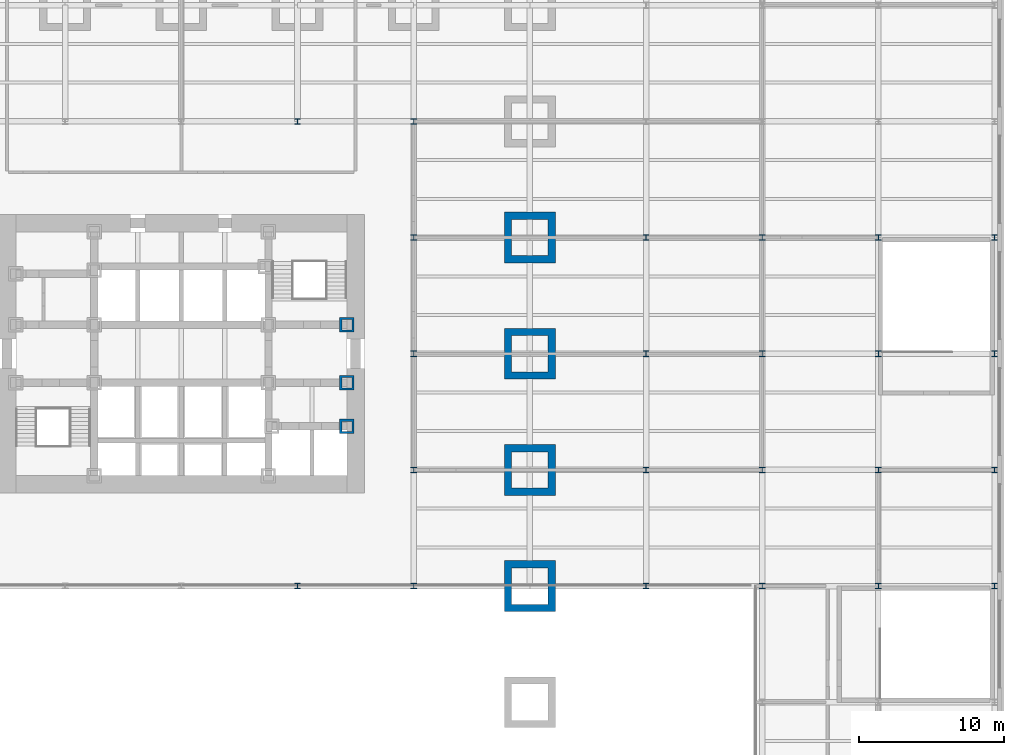
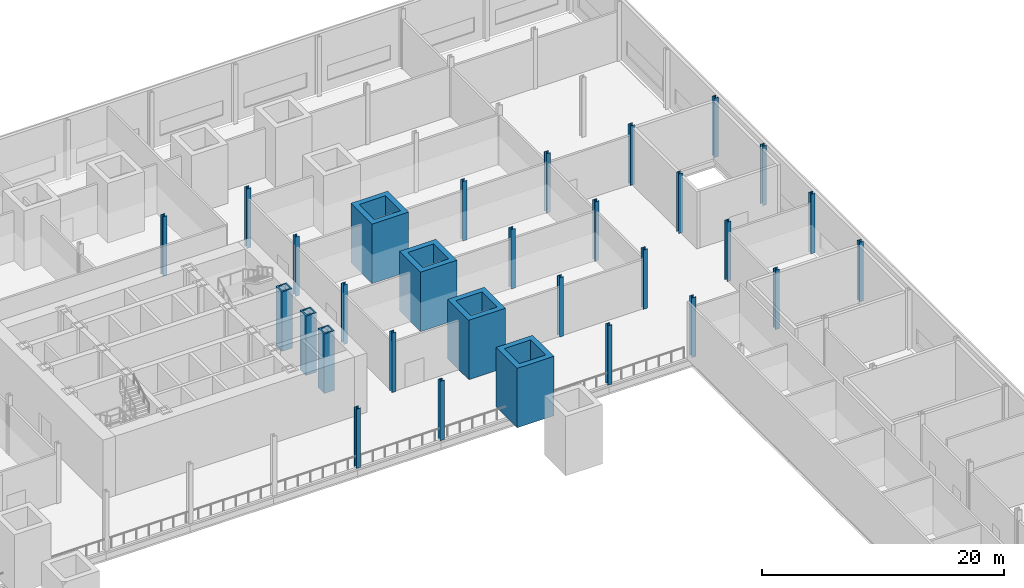
# One storey, part 6 of 21: 30 columns.
"""IFC4 building model written with IfcOpenShell, lengths in metres."""

from ifc_helpers import new_model, si_unit, direction, frame, origin, origin_2d, place, context, subcontext, project, spatial, hollow_rectangle, i_section, extrude, material, material_profile, profile_set, type_object, element, save


model = new_model("IFC4")

# Units and contexts
model_context = context("Model", 3, precision=1e-05, world=origin(), true_north=direction((0.0, 1.0)))
body_context = subcontext(model_context, "Body", "Model", "MODEL_VIEW")
ifc_project = project(units=[si_unit("LENGTHUNIT", "METRE"), si_unit("AREAUNIT", "SQUARE_METRE"), si_unit("VOLUMEUNIT", "CUBIC_METRE"), si_unit("PLANEANGLEUNIT", "RADIAN"), si_unit("MASSUNIT", "GRAM", prefix="KILO")], contexts=[model_context])

# Site, building, storey
site_placement = place(None, origin())
site = spatial("IfcSite", under=ifc_project, at=site_placement, CompositionType="ELEMENT")
building_placement = place(site_placement, origin())
building = spatial("IfcBuilding", under=site, at=building_placement, Name="Daluyong Arena Tower", CompositionType="ELEMENT")
storey_placement = place(building_placement, frame((0.0, 0.0, 19.89990234375)))
storey = spatial("IfcBuildingStorey", under=building, at=storey_placement, Name="L04", CompositionType="ELEMENT", Elevation=19.89990234375)

# Columns
ifc_material_1 = material(Name="Steel ASTM A588 Grade 50", Category="steel")
ifc_material_profile_1 = material_profile(ifc_material_1, hollow_rectangle(XDim=1.0, YDim=1.0, WallThickness=0.15, at=origin_2d()))
ifc_profile_set_1 = profile_set([ifc_material_profile_1], Name="Steel ASTM A588 Grade 50")
column_type_1 = type_object("IfcColumnType", Name="Core boundary column BX1000X150", PredefinedType="COLUMN", material=ifc_profile_set_1)
for number, where, z_axis, x_axis, name in (
    (1, (67.39990234375, 75.0, 0.0), (0.0, 0.0, 1.0), (1.0, 0.0, 0.0), "core boundary column BC1"),
    (2, (67.39990234375, 78.0, 0.0), (0.0, 0.0, 1.0), (1.0, 0.0, 0.0), "core boundary column BC1"),
    (3, (67.39990234375, 82.0, 0.0), (0.0, 0.0, 1.0), (1.0, 0.0, 0.0), "core boundary column BC1"),
):
    element("IfcColumn", number, at=place(storey_placement, frame(where, z_axis=z_axis, x_axis=x_axis)), inside=storey, type_object=column_type_1, Name=name, PredefinedType="COLUMN", context=body_context, shape_type="SweptSolid", body=[
        extrude(hollow_rectangle(XDim=1.0, YDim=1.0, WallThickness=0.15, at=origin_2d()), origin(), (0.0, 0.0, 1.0), 6.0),
    ])
ifc_material_2 = material(Name="Steel ASTM A992 Grade 50", Category="steel")
ifc_material_profile_2 = material_profile(ifc_material_2, i_section(OverallWidth=0.398681640625, OverallDepth=0.385986328125, WebThickness=0.02099609375, FlangeThickness=0.033203125, at=origin_2d()))
ifc_profile_set_2 = profile_set([ifc_material_profile_2], Name="Steel ASTM A992 Grade 50")
column_type_2 = type_object("IfcColumnType", Name="Podium column W14X176", PredefinedType="COLUMN", material=ifc_profile_set_2)
for number, where, z_axis, x_axis, name in (
    (4, (64.0, 64.0, 0.0), (0.0, 0.0, 1.0), (1.0, 0.0, 0.0), "podium column PC3"),
    (5, (64.0, 96.0, 0.0), (0.0, 0.0, 1.0), (1.0, 0.0, 0.0), "podium column PC3"),
    (6, (72.0, 64.0, 0.0), (0.0, 0.0, 1.0), (1.0, 0.0, 0.0), "podium column PC3"),
    (7, (72.0, 72.0, 0.0), (0.0, 0.0, 1.0), (1.0, 0.0, 0.0), "podium column PC3"),
    (8, (72.0, 80.0, 0.0), (0.0, 0.0, 1.0), (1.0, 0.0, 0.0), "podium column PC3"),
    (9, (72.0, 88.0, 0.0), (0.0, 0.0, 1.0), (1.0, 0.0, 0.0), "podium column PC3"),
    (10, (72.0, 96.0, 0.0), (0.0, 0.0, 1.0), (1.0, 0.0, 0.0), "podium column PC3"),
    (11, (88.0, 64.0, 0.0), (0.0, 0.0, 1.0), (1.0, 0.0, 0.0), "podium column PC3"),
    (12, (88.0, 72.0, 0.0), (0.0, 0.0, 1.0), (1.0, 0.0, 0.0), "podium column PC3"),
    (13, (88.0, 80.0, 0.0), (0.0, 0.0, 1.0), (1.0, 0.0, 0.0), "podium column PC3"),
    (14, (88.0, 88.0, 0.0), (0.0, 0.0, 1.0), (1.0, 0.0, 0.0), "podium column PC3"),
    (15, (96.0, 64.0, 0.0), (0.0, 0.0, 1.0), (1.0, 0.0, 0.0), "podium column PC3"),
    (16, (96.0, 72.0, 0.0), (0.0, 0.0, 1.0), (1.0, 0.0, 0.0), "podium column PC3"),
    (17, (96.0, 80.0, 0.0), (0.0, 0.0, 1.0), (1.0, 0.0, 0.0), "podium column PC3"),
    (18, (96.0, 88.0, 0.0), (0.0, 0.0, 1.0), (1.0, 0.0, 0.0), "podium column PC3"),
    (19, (104.0, 64.0, 0.0), (0.0, 0.0, 1.0), (1.0, 0.0, 0.0), "podium column PC3"),
    (20, (104.0, 72.0, 0.0), (0.0, 0.0, 1.0), (1.0, 0.0, 0.0), "podium column PC3"),
    (21, (104.0, 80.0, 0.0), (0.0, 0.0, 1.0), (1.0, 0.0, 0.0), "podium column PC3"),
    (22, (104.0, 88.0, 0.0), (0.0, 0.0, 1.0), (1.0, 0.0, 0.0), "podium column PC3"),
    (23, (112.0, 64.0, 0.0), (0.0, 0.0, 1.0), (1.0, 0.0, 0.0), "podium column PC3"),
    (24, (112.0, 72.0, 0.0), (0.0, 0.0, 1.0), (1.0, 0.0, 0.0), "podium column PC3"),
    (25, (112.0, 80.0, 0.0), (0.0, 0.0, 1.0), (1.0, 0.0, 0.0), "podium column PC3"),
    (26, (112.0, 88.0, 0.0), (0.0, 0.0, 1.0), (1.0, 0.0, 0.0), "podium column PC3"),
):
    element("IfcColumn", number, at=place(storey_placement, frame(where, z_axis=z_axis, x_axis=x_axis)), inside=storey, type_object=column_type_2, Name=name, PredefinedType="COLUMN", context=body_context, shape_type="SweptSolid", body=[
        extrude(i_section(OverallWidth=0.398681640625, OverallDepth=0.385986328125, WebThickness=0.02099609375, FlangeThickness=0.033203125, at=origin_2d()), origin(), (0.0, 0.0, 1.0), 6.0),
    ])
ifc_material_3 = material(Name="Steel ASTM A36", Category="steel")
ifc_material_profile_3 = material_profile(ifc_material_3, hollow_rectangle(XDim=3.5, YDim=3.5, WallThickness=0.5, at=origin_2d()))
ifc_profile_set_3 = profile_set([ifc_material_profile_3], Name="Steel ASTM A36")
column_type_3 = type_object("IfcColumnType", Name="Podium megacolumn BX3500X500", PredefinedType="COLUMN", material=ifc_profile_set_3)
for number, where, z_axis, x_axis, name in (
    (27, (80.0, 64.0, 0.0), (0.0, 0.0, 1.0), (1.0, 0.0, 0.0), "podium megacolumn MC1"),
    (28, (80.0, 72.0, 0.0), (0.0, 0.0, 1.0), (1.0, 0.0, 0.0), "podium megacolumn MC1"),
    (29, (80.0, 80.0, 0.0), (0.0, 0.0, 1.0), (1.0, 0.0, 0.0), "podium megacolumn MC1"),
    (30, (80.0, 88.0, 0.0), (0.0, 0.0, 1.0), (1.0, 0.0, 0.0), "podium megacolumn MC1"),
):
    element("IfcColumn", number, at=place(storey_placement, frame(where, z_axis=z_axis, x_axis=x_axis)), inside=storey, type_object=column_type_3, Name=name, PredefinedType="COLUMN", context=body_context, shape_type="SweptSolid", body=[
        extrude(hollow_rectangle(XDim=3.5, YDim=3.5, WallThickness=0.5, at=origin_2d()), origin(), (0.0, 0.0, 1.0), 6.0),
    ])

save(model, "model.ifc")
